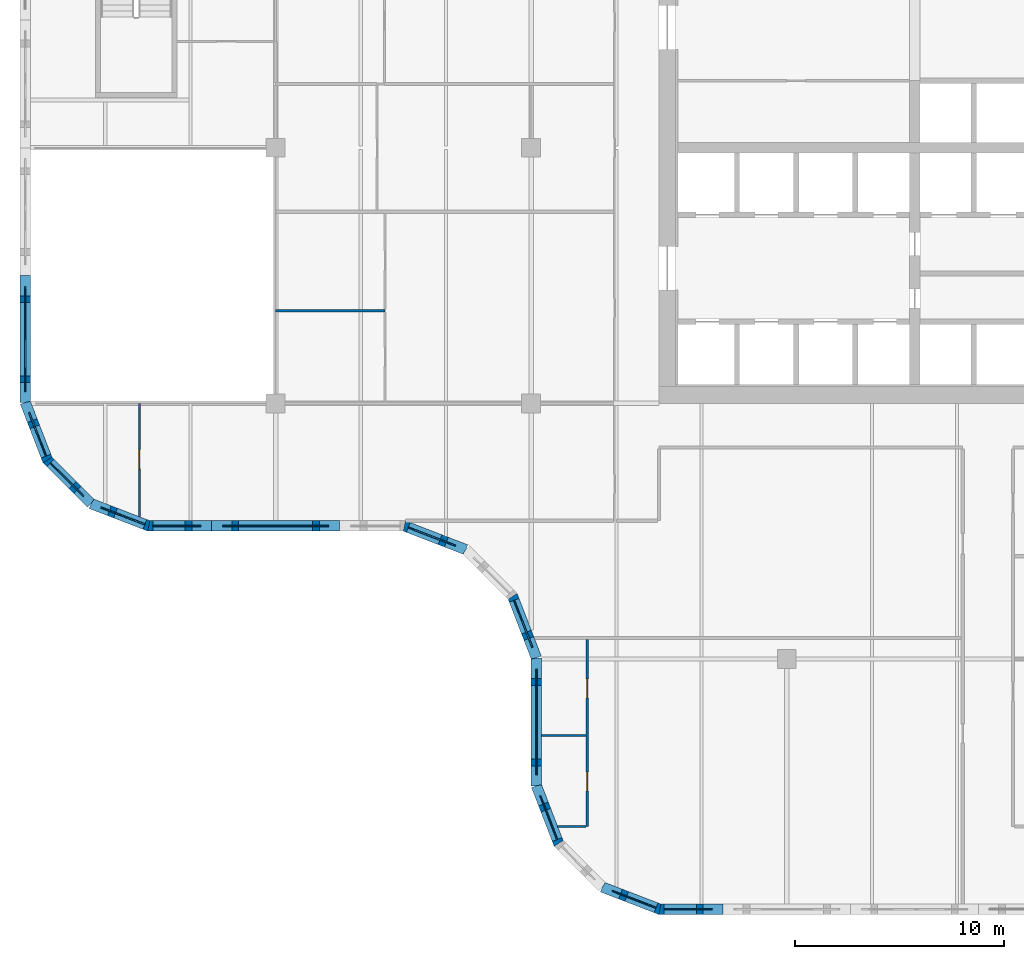
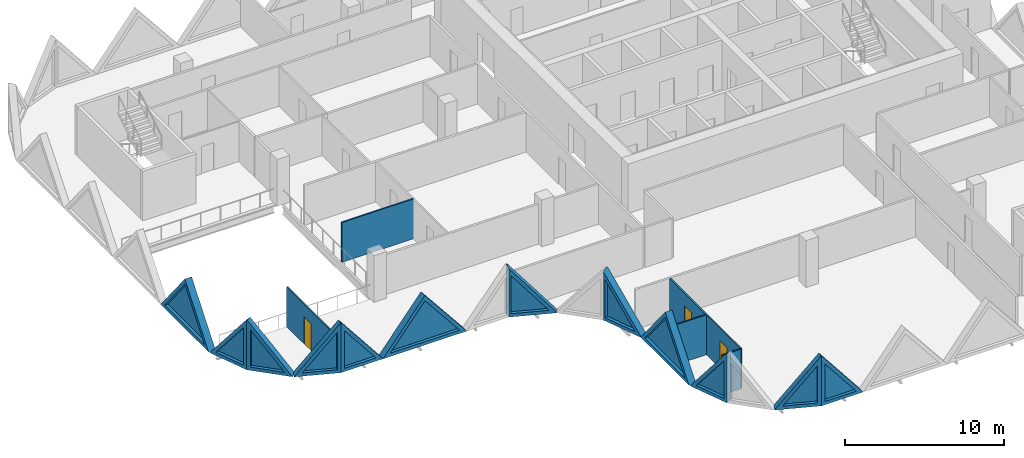
# One storey, part 4 of 19: 17 walls, 12 plates, 3 doors, 15 openings.
"""IFC4 building model written with IfcOpenShell, lengths in metres."""

from ifc_helpers import new_model, si_unit, direction, frame, frame_2d, origin, place, context, subcontext, project, spatial, polyline, rectangle, outline, extrude, faceted_brep, source, transform, mapped, material, layer, layer_set, type_object, element, fill, save


model = new_model("IFC4")

# Units and contexts
model_context = context("Model", 3, precision=1e-05, world=origin(), true_north=direction((0.0, 1.0)))
body_context = subcontext(model_context, "Body", "Model", "MODEL_VIEW")
ifc_project = project(units=[si_unit("LENGTHUNIT", "METRE"), si_unit("AREAUNIT", "SQUARE_METRE"), si_unit("VOLUMEUNIT", "CUBIC_METRE"), si_unit("PLANEANGLEUNIT", "RADIAN"), si_unit("MASSUNIT", "GRAM", prefix="KILO")], contexts=[model_context])

# Site, building, storey
site_placement = place(None, origin())
site = spatial("IfcSite", under=ifc_project, at=site_placement, CompositionType="ELEMENT")
building_placement = place(site_placement, origin())
building = spatial("IfcBuilding", under=site, at=building_placement, Name="Tessera Gate Towers", CompositionType="ELEMENT")
storey_placement = place(building_placement, frame((0.0, 0.0, 68.60009765625)))
storey = spatial("IfcBuildingStorey", under=building, at=storey_placement, Name="L16", CompositionType="ELEMENT", Elevation=68.60009765625)

# Wall, opening, door
ifc_material_1 = material(Name="Glass", Category="glass")
ifc_layer_1 = layer(ifc_material_1, 0.10009765625)
ifc_layer_set_1 = layer_set([ifc_layer_1], Name="GLAZED PARTITION 100")
wall_type_1 = type_object("IfcWallType", Name="GLAZED PARTITION 100", PredefinedType="PARTITIONING", material=ifc_layer_set_1)
wall_1_placement = place(storey_placement, frame((5.699951171875, 18.990234375, 0.0), z_axis=(0.0, 0.0, 1.0), x_axis=(0.0, 1.0, 0.0)))
wall_1 = element("IfcWall", 1, at=wall_1_placement, inside=storey, type_object=wall_type_1, Name="T1-L16-PW-021", PredefinedType="PARTITIONING", context=body_context, shape_type="SweptSolid", body=[
    extrude(rectangle(XDim=5.40966796875, YDim=0.10009765625, at=frame_2d((2.704833984375, 0.0))), origin(), (0.0, 0.0, 1.0), 3.06689453125),
])
shared_shape_1 = source(origin(), body_context, "Body", "SweptSolid", [
    extrude(rectangle(XDim=0.89990234375, YDim=2.10009765625, at=frame_2d((0.449951171875, 1.050048828125))), frame((0.0, 0.06005859375, 0.0), z_axis=(0.0, -1.0, 0.0), x_axis=(1.0, 0.0, 0.0)), (0.0, 0.0, 1.0), 0.1201171875),
])
opening_1_placement = place(wall_1_placement, frame((2.300048828125, 0.0, 0.0)))
opening_1 = element("IfcOpeningElement", 2, at=opening_1_placement, cuts=wall_1, Name="Opening D690-A06-05", PredefinedType="OPENING", context=body_context, shape_type="MappedRepresentation", body=[
    mapped(shared_shape_1, transform((0.0, 0.0, 0.0), scale=1.0)),
])
ifc_material_2 = material(Name="Glass in aluminium frame", Category="aluminium")
door_type_1 = type_object("IfcDoorType", Name="GLAZED DOOR 900 NOT RATED", OperationType="NOTDEFINED", PredefinedType="DOOR", material=ifc_material_2)
shared_shape_2 = source(origin(), body_context, "Body", "SweptSolid", [
    extrude(rectangle(XDim=0.89990234375, YDim=2.10009765625, at=frame_2d((0.449951171875, 1.050048828125))), frame((0.0, 0.02490234375, 0.0), z_axis=(0.0, -1.0, 0.0), x_axis=(1.0, 0.0, 0.0)), (0.0, 0.0, 1.0), 0.050048828125),
])
door_1_placement = place(opening_1_placement, origin())
door_1 = element("IfcDoor", 3, at=door_1_placement, inside=storey, type_object=door_type_1, Name="T1-L16-PD-013", OperationType="SINGLE_SWING_LEFT", OverallHeight=2.10009765625, OverallWidth=0.89990234375, PredefinedType="DOOR", context=body_context, shape_type="MappedRepresentation", body=[
    mapped(shared_shape_2, transform((0.0, 0.0, 0.0), scale=1.0)),
])
fill(opening_1, door_1)

# Wall
ifc_material_3 = material(Name="Gypsum board on steel studs", Category="steel")
ifc_layer_2 = layer(ifc_material_3, 0.10009765625)
ifc_layer_set_2 = layer_set([ifc_layer_2], Name="PARTITION 100")
wall_type_2 = type_object("IfcWallType", Name="PARTITION 100", PredefinedType="PARTITIONING", material=ifc_layer_set_2)
wall_2_placement = place(storey_placement, frame((25.668701171875, 4.199951171875, 0.0), z_axis=(0.0, 0.0, 1.0), x_axis=(1.0, 0.0, 0.0)))
element("IfcWall", 4, at=wall_2_placement, inside=storey, type_object=wall_type_2, Name="T1-L16-PW-003", PredefinedType="PARTITIONING", context=body_context, shape_type="SweptSolid", body=[
    extrude(rectangle(XDim=1.355224609375, YDim=0.10009765625, at=frame_2d((0.677734375, 0.0))), origin(), (0.0, 0.0, 1.0), 3.06689453125),
])

# Wall, openings, doors
wall_3_placement = place(storey_placement, frame((27.074951171875, 4.199951171875, 0.0), z_axis=(0.0, 0.0, 1.0), x_axis=(0.0, 1.0, 0.0)))
wall_3 = element("IfcWall", 5, at=wall_3_placement, inside=storey, type_object=wall_type_2, Name="T1-L16-PW-004", PredefinedType="PARTITIONING", context=body_context, shape_type="SweptSolid", body=[
    extrude(rectangle(XDim=8.924072265625, YDim=0.10009765625, at=frame_2d((4.4619140625, 0.0))), origin(), (0.0, 0.0, 1.0), 3.06689453125),
])
opening_2_placement = place(wall_3_placement, frame((6.147705078125, 0.0, 0.0)))
opening_2 = element("IfcOpeningElement", 6, at=opening_2_placement, cuts=wall_3, Name="Opening D190-A06-04", PredefinedType="OPENING", context=body_context, shape_type="MappedRepresentation", body=[
    mapped(shared_shape_1, transform((0.0, 0.0, 0.0), scale=1.0)),
])
opening_3_placement = place(wall_3_placement, frame((1.699951171875, 0.0, 0.0)))
opening_3 = element("IfcOpeningElement", 7, at=opening_3_placement, cuts=wall_3, Name="Opening D190-A06-06", PredefinedType="OPENING", context=body_context, shape_type="MappedRepresentation", body=[
    mapped(shared_shape_1, transform((0.0, 0.0, 0.0), scale=1.0)),
])
ifc_material_4 = material(Name="Timber door leaf in steel frame", Category="steel")
door_type_2 = type_object("IfcDoorType", Name="INTERNAL DOOR 900 NOT RATED", OperationType="NOTDEFINED", PredefinedType="DOOR", material=ifc_material_4)
door_2_placement = place(opening_2_placement, origin())
door_2 = element("IfcDoor", 8, at=door_2_placement, inside=storey, type_object=door_type_2, Name="T1-L16-PD-007", OperationType="SINGLE_SWING_LEFT", OverallHeight=2.10009765625, OverallWidth=0.89990234375, PredefinedType="DOOR", context=body_context, shape_type="MappedRepresentation", body=[
    mapped(shared_shape_2, transform((0.0, 0.0, 0.0), scale=1.0)),
])
fill(opening_2, door_2)
door_3_placement = place(opening_3_placement, origin())
door_3 = element("IfcDoor", 9, at=door_3_placement, inside=storey, type_object=door_type_2, Name="T1-L16-PD-014", OperationType="SINGLE_SWING_LEFT", OverallHeight=2.10009765625, OverallWidth=0.89990234375, PredefinedType="DOOR", context=body_context, shape_type="MappedRepresentation", body=[
    mapped(shared_shape_2, transform((0.0, 0.0, 0.0), scale=1.0)),
])
fill(opening_3, door_3)

# Walls
wall_4_placement = place(storey_placement, frame((24.89990234375, 8.548095703125, 0.0), z_axis=(0.0, 0.0, 1.0), x_axis=(1.0, 0.0, 0.0)))
element("IfcWall", 10, at=wall_4_placement, inside=storey, type_object=wall_type_2, Name="T1-L16-PW-008", PredefinedType="PARTITIONING", context=body_context, shape_type="SweptSolid", body=[
    extrude(rectangle(XDim=2.1240234375, YDim=0.10009765625, at=frame_2d((1.06201171875, 0.0))), origin(), (0.0, 0.0, 1.0), 3.06689453125),
])
wall_5_placement = place(storey_placement, frame((12.199951171875, 28.820068359375, 0.0), z_axis=(0.0, 0.0, 1.0), x_axis=(1.0, 0.0, 0.0)))
element("IfcWall", 11, at=wall_5_placement, inside=storey, type_object=wall_type_2, Name="T1-L16-PW-029", PredefinedType="PARTITIONING", context=body_context, shape_type="SweptSolid", body=[
    extrude(rectangle(XDim=5.22509765625, YDim=0.10009765625, at=frame_2d((2.612548828125, 0.0))), origin(), (0.0, 0.0, 1.0), 3.06689453125),
])

# Wall, opening, plate
ifc_material_5 = material(Name="Precast concrete C60/75 white", Category="concrete")
ifc_layer_3 = layer(ifc_material_5, 0.5)
ifc_layer_set_3 = layer_set([ifc_layer_3], Name="TS3 corner tessera")
wall_type_3 = type_object("IfcWallType", Name="TS3 corner tessera", PredefinedType="SOLIDWALL", material=ifc_layer_set_3)
shared_shape_3 = source(origin(), body_context, "Body", "Brep", [
    faceted_brep([(3.050048828125, -0.25, 0.0), (0.046630859375, -0.25, 3.7998046875), (0.0, -0.25, 3.73974609375), (0.0, -0.25, 0.0), (0.09326171875, 0.25, 3.740966796875), (3.050048828125, 0.25, 0.0), (0.09326171875, 0.25, 0.0), (0.046630859375, 0.0, 3.7998046875)], [[[0, 1, 2, 3]], [[4, 5, 6]], [[5, 4, 7, 1, 0]], [[2, 1, 7]], [[6, 5, 0, 3]], [[6, 3, 2, 7, 4]]]),
])
wall_6_placement = place(storey_placement, frame((30.5, 0.25, 0.0), z_axis=(0.0, 0.0, 1.0), x_axis=(1.0, 0.0, 0.0)))
wall_6 = element("IfcWall", 12, at=wall_6_placement, inside=storey, type_object=wall_type_3, Name="Precast corner tessera T1 TS3-0337", PredefinedType="SOLIDWALL", context=body_context, shape_type="MappedRepresentation", body=[
    mapped(shared_shape_3, transform((0.0, 0.0, 0.0), scale=1.0)),
])
shared_shape_4 = source(origin(), body_context, "Body", "SweptSolid", [
    extrude(outline(polyline([(2.533935546875, 0.25), (0.24658203125, 3.143798828125), (0.24658203125, 0.25), (2.533935546875, 0.25)])), frame((0.0, 0.260009765625, 0.0), z_axis=(0.0, -1.0, 0.0), x_axis=(1.0, 0.0, 0.0)), (0.0, 0.0, 1.0), 0.52001953125),
])
opening_4_placement = place(wall_6_placement, origin())
opening_4 = element("IfcOpeningElement", 13, at=opening_4_placement, cuts=wall_6, Name="Opening T1-PL1-0188", PredefinedType="OPENING", context=body_context, shape_type="MappedRepresentation", body=[
    mapped(shared_shape_4, transform((0.0, 0.0, 0.0), scale=1.0)),
])
ifc_material_6 = material(Name="Low-e laminated glass", Category="glass")
ifc_layer_4 = layer(ifc_material_6, 0.06005859375)
ifc_layer_set_4 = layer_set([ifc_layer_4], Name="PL1 triangular pane")
plate_type = type_object("IfcPlateType", Name="PL1 triangular pane", PredefinedType="SHEET", material=ifc_layer_set_4)
shared_shape_5 = source(origin(), body_context, "Body", "SweptSolid", [
    extrude(outline(polyline([(2.533935546875, 0.25), (0.24658203125, 3.143798828125), (0.24658203125, 0.25), (2.533935546875, 0.25)])), frame((0.0, 0.030029296875, 0.0), z_axis=(0.0, -1.0, 0.0), x_axis=(1.0, 0.0, 0.0)), (0.0, 0.0, 1.0), 0.06005859375),
])
plate_1_placement = place(opening_4_placement, origin())
plate_1 = element("IfcPlate", 14, at=plate_1_placement, inside=storey, type_object=plate_type, Name="Glass pane T1 PL1-0188", PredefinedType="SHEET", context=body_context, shape_type="MappedRepresentation", body=[
    mapped(shared_shape_5, transform((0.0, 0.0, 0.0), scale=1.0)),
])
fill(opening_4, plate_1)

wall_7_placement = place(storey_placement, frame((6.099853515625, 18.550048828125, 0.0), z_axis=(0.0, 0.0, 1.0), x_axis=(1.0, 0.0, 0.0)))
wall_7 = element("IfcWall", 15, at=wall_7_placement, inside=storey, type_object=wall_type_3, Name="Precast corner tessera T1 TS3-0354", PredefinedType="SOLIDWALL", context=body_context, shape_type="MappedRepresentation", body=[
    mapped(shared_shape_3, transform((0.0, 0.0, 0.0), scale=1.0)),
])
opening_5_placement = place(wall_7_placement, origin())
opening_5 = element("IfcOpeningElement", 16, at=opening_5_placement, cuts=wall_7, Name="Opening T1-PL1-0226", PredefinedType="OPENING", context=body_context, shape_type="MappedRepresentation", body=[
    mapped(shared_shape_4, transform((0.0, 0.0, 0.0), scale=1.0)),
])
plate_2_placement = place(opening_5_placement, origin())
plate_2 = element("IfcPlate", 17, at=plate_2_placement, inside=storey, type_object=plate_type, Name="Glass pane T1 PL1-0226", PredefinedType="SHEET", context=body_context, shape_type="MappedRepresentation", body=[
    mapped(shared_shape_5, transform((0.0, 0.0, 0.0), scale=1.0)),
])
fill(opening_5, plate_2)

shared_shape_6 = source(origin(), body_context, "Body", "Brep", [
    faceted_brep([(2.9970703125, -0.25, 3.74072265625), (2.950439453125, -0.25, 3.7998046875), (0.0, -0.25, 0.0), (2.9970703125, -0.25, 0.0), (0.052978515625, 0.25, 0.068115234375), (2.904052734375, 0.25, 3.739990234375), (2.904052734375, 0.25, 0.0), (0.052978515625, 0.25, 0.0), (2.950439453125, 0.00048828125, 3.7998046875), (0.0, 0.0, 0.0)], [[[0, 1, 2, 3]], [[4, 5, 6, 7]], [[8, 1, 0]], [[5, 4, 9, 2, 1, 8]], [[7, 6, 3, 2, 9]], [[7, 9, 4]], [[3, 6, 5, 8, 0]]]),
])
wall_8_placement = place(storey_placement, frame((27.793701171875, 1.31201171875, 0.0), z_axis=(0.0, 0.0, 1.0), x_axis=(0.932973525033, -0.359944998003, 0.0)))
wall_8 = element("IfcWall", 18, at=wall_8_placement, inside=storey, type_object=wall_type_3, Name="Precast corner tessera T1 TS3-0338", PredefinedType="SOLIDWALL", context=body_context, shape_type="MappedRepresentation", body=[
    mapped(shared_shape_6, transform((0.0, 0.0, 0.0), scale=1.0)),
])
shared_shape_7 = source(origin(), body_context, "Body", "SweptSolid", [
    extrude(outline(polyline([(2.75048828125, 3.134765625), (0.5107421875, 0.25), (2.75048828125, 0.25), (2.75048828125, 3.134765625)])), frame((0.0, 0.260009765625, 0.0), z_axis=(0.0, -1.0, 0.0), x_axis=(1.0, 0.0, 0.0)), (0.0, 0.0, 1.0), 0.52001953125),
])
opening_6_placement = place(wall_8_placement, origin())
opening_6 = element("IfcOpeningElement", 19, at=opening_6_placement, cuts=wall_8, Name="Opening T1-PL1-0189", PredefinedType="OPENING", context=body_context, shape_type="MappedRepresentation", body=[
    mapped(shared_shape_7, transform((0.0, 0.0, 0.0), scale=1.0)),
])
shared_shape_8 = source(origin(), body_context, "Body", "SweptSolid", [
    extrude(outline(polyline([(2.75048828125, 3.134765625), (0.5107421875, 0.25), (2.75048828125, 0.25), (2.75048828125, 3.134765625)])), frame((0.0, 0.030029296875, 0.0), z_axis=(0.0, -1.0, 0.0), x_axis=(1.0, 0.0, 0.0)), (0.0, 0.0, 1.0), 0.06005859375),
])
plate_3_placement = place(opening_6_placement, origin())
plate_3 = element("IfcPlate", 20, at=plate_3_placement, inside=storey, type_object=plate_type, Name="Glass pane T1 PL1-0189", PredefinedType="SHEET", context=body_context, shape_type="MappedRepresentation", body=[
    mapped(shared_shape_8, transform((0.0, 0.0, 0.0), scale=1.0)),
])
fill(opening_6, plate_3)

ifc_material_7 = material(Name="Precast concrete C60/75 white", Category="concrete")
ifc_layer_5 = layer(ifc_material_7, 0.5)
ifc_layer_set_5 = layer_set([ifc_layer_5], Name="TS2 half tessera")
wall_type_4 = type_object("IfcWallType", Name="TS2 half tessera", PredefinedType="SOLIDWALL", material=ifc_layer_set_5)
shared_shape_9 = source(origin(), body_context, "Body", "SweptSolid", [
    extrude(outline(polyline([(6.10009765625, 0.0), (3.050048828125, 3.7998046875), (0.0, 0.0), (6.10009765625, 0.0)])), frame((0.0, 0.25, 0.0), z_axis=(0.0, -1.0, 0.0), x_axis=(1.0, 0.0, 0.0)), (0.0, 0.0, 1.0), 0.5),
])
wall_9_placement = place(storey_placement, frame((9.14990234375, 18.550048828125, 0.0), z_axis=(0.0, 0.0, 1.0), x_axis=(1.0, 0.0, 0.0)))
wall_9 = element("IfcWall", 21, at=wall_9_placement, inside=storey, type_object=wall_type_4, Name="Precast half tessera T1 TS2-0113", PredefinedType="SOLIDWALL", context=body_context, shape_type="MappedRepresentation", body=[
    mapped(shared_shape_9, transform((0.0, 0.0, 0.0), scale=1.0)),
])
shared_shape_10 = source(origin(), body_context, "Body", "SweptSolid", [
    extrude(outline(polyline([(5.578857421875, 0.25), (3.050048828125, 3.400390625), (0.521240234375, 0.25), (5.578857421875, 0.25)])), frame((0.0, 0.260009765625, 0.0), z_axis=(0.0, -1.0, 0.0), x_axis=(1.0, 0.0, 0.0)), (0.0, 0.0, 1.0), 0.52001953125),
])
opening_7_placement = place(wall_9_placement, origin())
opening_7 = element("IfcOpeningElement", 22, at=opening_7_placement, cuts=wall_9, Name="Opening T1-PL1-0227", PredefinedType="OPENING", context=body_context, shape_type="MappedRepresentation", body=[
    mapped(shared_shape_10, transform((0.0, 0.0, 0.0), scale=1.0)),
])
shared_shape_11 = source(origin(), body_context, "Body", "SweptSolid", [
    extrude(outline(polyline([(5.578857421875, 0.25), (3.050048828125, 3.400390625), (0.521240234375, 0.25), (5.578857421875, 0.25)])), frame((0.0, 0.030029296875, 0.0), z_axis=(0.0, -1.0, 0.0), x_axis=(1.0, 0.0, 0.0)), (0.0, 0.0, 1.0), 0.06005859375),
])
plate_4_placement = place(opening_7_placement, origin())
plate_4 = element("IfcPlate", 23, at=plate_4_placement, inside=storey, type_object=plate_type, Name="Glass pane T1 PL1-0227", PredefinedType="SHEET", context=body_context, shape_type="MappedRepresentation", body=[
    mapped(shared_shape_11, transform((0.0, 0.0, 0.0), scale=1.0)),
])
fill(opening_7, plate_4)

shared_shape_12 = source(origin(), body_context, "Body", "Brep", [
    faceted_brep([(6.053466796875, -0.25, 0.0), (3.050048828125, -0.25, 3.7998046875), (0.0, -0.25, 0.0), (0.0, 0.25, 0.0), (3.050048828125, 0.25, 3.7998046875), (6.0068359375, 0.25, 0.058837890625), (6.0068359375, 0.25, 0.0), (6.053466796875, 0.0, 0.0)], [[[0, 1, 2]], [[3, 4, 5, 6]], [[5, 4, 1, 0, 7]], [[4, 3, 2, 1]], [[3, 6, 7, 0, 2]], [[7, 6, 5]]]),
])
wall_10_placement = place(storey_placement, frame((0.25, 30.5, 0.0), z_axis=(0.0, 0.0, 1.0), x_axis=(0.0, -1.0, 0.0)))
wall_10 = element("IfcWall", 24, at=wall_10_placement, inside=storey, type_object=wall_type_4, Name="Precast half tessera T1 TS2-0112", PredefinedType="SOLIDWALL", context=body_context, shape_type="MappedRepresentation", body=[
    mapped(shared_shape_12, transform((0.0, 0.0, 0.0), scale=1.0)),
])
shared_shape_13 = source(origin(), body_context, "Body", "SweptSolid", [
    extrude(outline(polyline([(5.537109375, 0.25), (3.048583984375, 3.398681640625), (0.521240234375, 0.25), (5.537109375, 0.25)])), frame((0.0, 0.260009765625, 0.0), z_axis=(0.0, -1.0, 0.0), x_axis=(1.0, 0.0, 0.0)), (0.0, 0.0, 1.0), 0.52001953125),
])
opening_8_placement = place(wall_10_placement, origin())
opening_8 = element("IfcOpeningElement", 25, at=opening_8_placement, cuts=wall_10, Name="Opening T1-PL1-0222", PredefinedType="OPENING", context=body_context, shape_type="MappedRepresentation", body=[
    mapped(shared_shape_13, transform((0.0, 0.0, 0.0), scale=1.0)),
])
shared_shape_14 = source(origin(), body_context, "Body", "SweptSolid", [
    extrude(outline(polyline([(5.537109375, 0.25), (3.048583984375, 3.398681640625), (0.521240234375, 0.25), (5.537109375, 0.25)])), frame((0.0, 0.030029296875, 0.0), z_axis=(0.0, -1.0, 0.0), x_axis=(1.0, 0.0, 0.0)), (0.0, 0.0, 1.0), 0.06005859375),
])
plate_5_placement = place(opening_8_placement, origin())
plate_5 = element("IfcPlate", 26, at=plate_5_placement, inside=storey, type_object=plate_type, Name="Glass pane T1 PL1-0222", PredefinedType="SHEET", context=body_context, shape_type="MappedRepresentation", body=[
    mapped(shared_shape_14, transform((0.0, 0.0, 0.0), scale=1.0)),
])
fill(opening_8, plate_5)

shared_shape_15 = source(origin(), body_context, "Body", "Brep", [
    faceted_brep([(3.00341796875, -0.25, 3.7314453125), (2.950439453125, -0.25, 3.7998046875), (0.0, -0.25, 0.0), (3.00341796875, -0.25, 0.0), (0.046630859375, 0.25, 0.06005859375), (2.897705078125, 0.25, 3.731689453125), (2.897705078125, 0.25, 0.0), (0.046630859375, 0.25, 0.0), (2.950439453125, 0.00048828125, 3.7998046875), (0.0, 0.0, 0.0)], [[[0, 1, 2, 3]], [[4, 5, 6, 7]], [[8, 1, 0]], [[5, 4, 9, 2, 1, 8]], [[7, 6, 3, 2, 9]], [[7, 9, 4]], [[3, 6, 5, 8, 0]]]),
])
wall_11_placement = place(storey_placement, frame((0.25, 24.446533203125, 0.0), z_axis=(0.0, 0.0, 1.0), x_axis=(0.35992665181, -0.932980602862, 0.0)))
wall_11 = element("IfcWall", 27, at=wall_11_placement, inside=storey, type_object=wall_type_3, Name="Precast corner tessera T1 TS3-0351", PredefinedType="SOLIDWALL", context=body_context, shape_type="MappedRepresentation", body=[
    mapped(shared_shape_15, transform((0.0, 0.0, 0.0), scale=1.0)),
])
opening_9_placement = place(wall_11_placement, origin())
opening_9 = element("IfcOpeningElement", 28, at=opening_9_placement, cuts=wall_11, Name="Opening T1-PL1-0223", PredefinedType="OPENING", context=body_context, shape_type="MappedRepresentation", body=[
    mapped(shared_shape_7, transform((0.0, 0.0, 0.0), scale=1.0)),
])
plate_6_placement = place(opening_9_placement, origin())
plate_6 = element("IfcPlate", 29, at=plate_6_placement, inside=storey, type_object=plate_type, Name="Glass pane T1 PL1-0223", PredefinedType="SHEET", context=body_context, shape_type="MappedRepresentation", body=[
    mapped(shared_shape_8, transform((0.0, 0.0, 0.0), scale=1.0)),
])
fill(opening_9, plate_6)

shared_shape_16 = source(origin(), body_context, "Body", "Brep", [
    faceted_brep([(2.9970703125, -0.25, 3.74072265625), (2.950439453125, -0.25, 3.7998046875), (0.0, -0.25, 0.0), (2.9970703125, -0.25, 0.0), (0.052978515625, 0.25, 0.068115234375), (2.904052734375, 0.25, 3.739990234375), (2.904052734375, 0.25, 0.0), (0.052978515625, 0.25, 0.0), (2.950439453125, 0.00048828125, 3.7998046875), (0.0, 0.0, 0.0)], [[[0, 1, 2, 3]], [[4, 5, 6, 7]], [[8, 1, 0]], [[5, 4, 9, 2, 1, 8]], [[7, 6, 3, 2, 9]], [[7, 9, 4]], [[3, 6, 5, 8, 0]]]),
])
wall_12_placement = place(storey_placement, frame((3.393798828125, 19.61181640625, 0.0), z_axis=(0.0, 0.0, 1.0), x_axis=(0.932990326376, -0.359901446078, 0.0)))
wall_12 = element("IfcWall", 30, at=wall_12_placement, inside=storey, type_object=wall_type_3, Name="Precast corner tessera T1 TS3-0353", PredefinedType="SOLIDWALL", context=body_context, shape_type="MappedRepresentation", body=[
    mapped(shared_shape_16, transform((0.0, 0.0, 0.0), scale=1.0)),
])
opening_10_placement = place(wall_12_placement, origin())
opening_10 = element("IfcOpeningElement", 31, at=opening_10_placement, cuts=wall_12, Name="Opening T1-PL1-0225", PredefinedType="OPENING", context=body_context, shape_type="MappedRepresentation", body=[
    mapped(shared_shape_7, transform((0.0, 0.0, 0.0), scale=1.0)),
])
plate_7_placement = place(opening_10_placement, origin())
plate_7 = element("IfcPlate", 32, at=plate_7_placement, inside=storey, type_object=plate_type, Name="Glass pane T1 PL1-0225", PredefinedType="SHEET", context=body_context, shape_type="MappedRepresentation", body=[
    mapped(shared_shape_8, transform((0.0, 0.0, 0.0), scale=1.0)),
])
fill(opening_10, plate_7)

shared_shape_17 = source(origin(), body_context, "Body", "Brep", [
    faceted_brep([(2.9970703125, -0.25, 0.0), (0.052978515625, -0.25, 3.7998046875), (0.0, -0.25, 3.731689453125), (0.0, -0.25, 0.0), (0.10595703125, 0.25, 3.7314453125), (2.944091796875, 0.25, 0.068115234375), (2.944091796875, 0.25, 0.0), (0.10595703125, 0.25, 0.0), (0.052978515625, 0.0, 3.7998046875), (2.9970703125, 0.000244140625, 0.0)], [[[0, 1, 2, 3]], [[4, 5, 6, 7]], [[5, 4, 8, 1, 0, 9]], [[2, 1, 8]], [[7, 6, 9, 0, 3]], [[7, 3, 2, 8, 4]], [[9, 6, 5]]]),
])
wall_13_placement = place(storey_placement, frame((1.2744140625, 21.731201171875, 0.0), z_axis=(0.0, 0.0, 1.0), x_axis=(0.707147509625, -0.707066050402, 0.0)))
wall_13 = element("IfcWall", 33, at=wall_13_placement, inside=storey, type_object=wall_type_3, Name="Precast corner tessera T1 TS3-0352", PredefinedType="SOLIDWALL", context=body_context, shape_type="MappedRepresentation", body=[
    mapped(shared_shape_17, transform((0.0, 0.0, 0.0), scale=1.0)),
])
shared_shape_18 = source(origin(), body_context, "Body", "SweptSolid", [
    extrude(outline(polyline([(2.487060546875, 0.25), (0.2529296875, 3.133544921875), (0.2529296875, 0.25), (2.487060546875, 0.25)])), frame((0.0, 0.260009765625, 0.0), z_axis=(0.0, -1.0, 0.0), x_axis=(1.0, 0.0, 0.0)), (0.0, 0.0, 1.0), 0.52001953125),
])
opening_11_placement = place(wall_13_placement, origin())
opening_11 = element("IfcOpeningElement", 34, at=opening_11_placement, cuts=wall_13, Name="Opening T1-PL1-0224", PredefinedType="OPENING", context=body_context, shape_type="MappedRepresentation", body=[
    mapped(shared_shape_18, transform((0.0, 0.0, 0.0), scale=1.0)),
])
shared_shape_19 = source(origin(), body_context, "Body", "SweptSolid", [
    extrude(outline(polyline([(2.487060546875, 0.25), (0.2529296875, 3.133544921875), (0.2529296875, 0.25), (2.487060546875, 0.25)])), frame((0.0, 0.030029296875, 0.0), z_axis=(0.0, -1.0, 0.0), x_axis=(1.0, 0.0, 0.0)), (0.0, 0.0, 1.0), 0.06005859375),
])
plate_8_placement = place(opening_11_placement, origin())
plate_8 = element("IfcPlate", 35, at=plate_8_placement, inside=storey, type_object=plate_type, Name="Glass pane T1 PL1-0224", PredefinedType="SHEET", context=body_context, shape_type="MappedRepresentation", body=[
    mapped(shared_shape_19, transform((0.0, 0.0, 0.0), scale=1.0)),
])
fill(opening_11, plate_8)

shared_shape_20 = source(origin(), body_context, "Body", "Brep", [
    faceted_brep([(3.14306640625, -0.25, 0.063720703125), (0.09326171875, -0.25, 3.74365234375), (0.09326171875, -0.25, 0.0), (3.14306640625, -0.25, 0.0), (0.0, 0.25, 3.74267578125), (0.046630859375, 0.25, 3.7998046875), (3.196044921875, 0.25, 0.0), (0.0, 0.25, 0.0), (0.046630859375, 0.0, 3.7998046875), (3.196044921875, -0.000244140625, 0.0)], [[[0, 1, 2, 3]], [[4, 5, 6, 7]], [[6, 5, 8, 1, 0, 9]], [[5, 4, 8]], [[7, 6, 9, 3, 2]], [[7, 2, 1, 8, 4]], [[3, 9, 0]]]),
])
wall_14_placement = place(storey_placement, frame((18.302978515625, 18.56689453125, 0.0), z_axis=(0.0, 0.0, 1.0), x_axis=(0.932978940178, -0.359930961693, 0.0)))
wall_14 = element("IfcWall", 36, at=wall_14_placement, inside=storey, type_object=wall_type_3, Name="Precast corner tessera T1 TS3-0356", PredefinedType="SOLIDWALL", context=body_context, shape_type="MappedRepresentation", body=[
    mapped(shared_shape_20, transform((0.0, 0.0, 0.0), scale=1.0)),
])
shared_shape_21 = source(origin(), body_context, "Body", "SweptSolid", [
    extrude(outline(polyline([(2.664306640625, 0.25), (0.24658203125, 3.166748046875), (0.24658203125, 0.25), (2.664306640625, 0.25)])), frame((0.0, 0.260009765625, 0.0), z_axis=(0.0, -1.0, 0.0), x_axis=(1.0, 0.0, 0.0)), (0.0, 0.0, 1.0), 0.52001953125),
])
opening_12_placement = place(wall_14_placement, origin())
opening_12 = element("IfcOpeningElement", 37, at=opening_12_placement, cuts=wall_14, Name="Opening T1-PL1-0229", PredefinedType="OPENING", context=body_context, shape_type="MappedRepresentation", body=[
    mapped(shared_shape_21, transform((0.0, 0.0, 0.0), scale=1.0)),
])
shared_shape_22 = source(origin(), body_context, "Body", "SweptSolid", [
    extrude(outline(polyline([(2.664306640625, 0.25), (0.24658203125, 3.166748046875), (0.24658203125, 0.25), (2.664306640625, 0.25)])), frame((0.0, 0.030029296875, 0.0), z_axis=(0.0, -1.0, 0.0), x_axis=(1.0, 0.0, 0.0)), (0.0, 0.0, 1.0), 0.06005859375),
])
plate_9_placement = place(opening_12_placement, origin())
plate_9 = element("IfcPlate", 38, at=plate_9_placement, inside=storey, type_object=plate_type, Name="Glass pane T1 PL1-0229", PredefinedType="SHEET", context=body_context, shape_type="MappedRepresentation", body=[
    mapped(shared_shape_22, transform((0.0, 0.0, 0.0), scale=1.0)),
])
fill(opening_12, plate_9)

shared_shape_23 = source(origin(), body_context, "Body", "Brep", [
    faceted_brep([(3.156005859375, -0.25, 0.05615234375), (0.10595703125, -0.25, 3.73583984375), (0.10595703125, -0.25, 0.0), (3.156005859375, -0.25, 0.0), (0.0, 0.25, 3.736083984375), (0.052978515625, 0.25, 3.7998046875), (3.202392578125, 0.25, 0.0), (0.0, 0.25, 0.0), (0.052978515625, 0.0, 3.7998046875), (3.202392578125, -0.000244140625, 0.0)], [[[0, 1, 2, 3]], [[4, 5, 6, 7]], [[6, 5, 8, 1, 0, 9]], [[5, 4, 8]], [[7, 6, 9, 3, 2]], [[7, 2, 1, 8, 4]], [[3, 9, 0]]]),
])
wall_15_placement = place(storey_placement, frame((23.497314453125, 15.234375, 0.0), z_axis=(0.0, 0.0, 1.0), x_axis=(0.359913782069, -0.932985567668, 0.0)))
wall_15 = element("IfcWall", 39, at=wall_15_placement, inside=storey, type_object=wall_type_3, Name="Precast corner tessera T1 TS3-0358", PredefinedType="SOLIDWALL", context=body_context, shape_type="MappedRepresentation", body=[
    mapped(shared_shape_23, transform((0.0, 0.0, 0.0), scale=1.0)),
])
shared_shape_24 = source(origin(), body_context, "Body", "SweptSolid", [
    extrude(outline(polyline([(2.670654296875, 0.25), (0.2529296875, 3.166748046875), (0.2529296875, 0.25), (2.670654296875, 0.25)])), frame((0.0, 0.260009765625, 0.0), z_axis=(0.0, -1.0, 0.0), x_axis=(1.0, 0.0, 0.0)), (0.0, 0.0, 1.0), 0.52001953125),
])
opening_13_placement = place(wall_15_placement, origin())
opening_13 = element("IfcOpeningElement", 40, at=opening_13_placement, cuts=wall_15, Name="Opening T1-PL1-0231", PredefinedType="OPENING", context=body_context, shape_type="MappedRepresentation", body=[
    mapped(shared_shape_24, transform((0.0, 0.0, 0.0), scale=1.0)),
])
shared_shape_25 = source(origin(), body_context, "Body", "SweptSolid", [
    extrude(outline(polyline([(2.670654296875, 0.25), (0.2529296875, 3.166748046875), (0.2529296875, 0.25), (2.670654296875, 0.25)])), frame((0.0, 0.030029296875, 0.0), z_axis=(0.0, -1.0, 0.0), x_axis=(1.0, 0.0, 0.0)), (0.0, 0.0, 1.0), 0.06005859375),
])
plate_10_placement = place(opening_13_placement, origin())
plate_10 = element("IfcPlate", 41, at=plate_10_placement, inside=storey, type_object=plate_type, Name="Glass pane T1 PL1-0231", PredefinedType="SHEET", context=body_context, shape_type="MappedRepresentation", body=[
    mapped(shared_shape_25, transform((0.0, 0.0, 0.0), scale=1.0)),
])
fill(opening_13, plate_10)

shared_shape_26 = source(origin(), body_context, "Body", "Brep", [
    faceted_brep([(6.10009765625, -0.25, 0.0), (3.096435546875, -0.25, 3.7998046875), (0.046630859375, -0.25, 0.05712890625), (0.046630859375, -0.25, 0.0), (0.0, 0.25, 0.0), (3.096435546875, 0.25, 3.7998046875), (6.053466796875, 0.25, 0.05908203125), (6.053466796875, 0.25, 0.0), (6.10009765625, -0.00048828125, 0.0), (0.0, 0.0, 0.0)], [[[0, 1, 2, 3]], [[4, 5, 6, 7]], [[6, 5, 1, 0, 8]], [[5, 4, 9, 2, 1]], [[4, 7, 8, 0, 3, 9]], [[9, 3, 2]], [[8, 7, 6]]]),
])
wall_16_placement = place(storey_placement, frame((24.64990234375, 12.24658203125, 0.0), z_axis=(0.0, 0.0, 1.0), x_axis=(0.0, -1.0, 0.0)))
wall_16 = element("IfcWall", 42, at=wall_16_placement, inside=storey, type_object=wall_type_4, Name="Precast half tessera T1 TS2-0114", PredefinedType="SOLIDWALL", context=body_context, shape_type="MappedRepresentation", body=[
    mapped(shared_shape_26, transform((0.0, 0.0, 0.0), scale=1.0)),
])
shared_shape_27 = source(origin(), body_context, "Body", "SweptSolid", [
    extrude(outline(polyline([(5.583740234375, 0.25), (3.093505859375, 3.400390625), (0.526123046875, 0.25), (5.583740234375, 0.25)])), frame((0.0, 0.260009765625, 0.0), z_axis=(0.0, -1.0, 0.0), x_axis=(1.0, 0.0, 0.0)), (0.0, 0.0, 1.0), 0.52001953125),
])
opening_14_placement = place(wall_16_placement, origin())
opening_14 = element("IfcOpeningElement", 43, at=opening_14_placement, cuts=wall_16, Name="Opening T1-PL1-0232", PredefinedType="OPENING", context=body_context, shape_type="MappedRepresentation", body=[
    mapped(shared_shape_27, transform((0.0, 0.0, 0.0), scale=1.0)),
])
shared_shape_28 = source(origin(), body_context, "Body", "SweptSolid", [
    extrude(outline(polyline([(5.583740234375, 0.25), (3.093505859375, 3.400390625), (0.526123046875, 0.25), (5.583740234375, 0.25)])), frame((0.0, 0.030029296875, 0.0), z_axis=(0.0, -1.0, 0.0), x_axis=(1.0, 0.0, 0.0)), (0.0, 0.0, 1.0), 0.06005859375),
])
plate_11_placement = place(opening_14_placement, origin())
plate_11 = element("IfcPlate", 44, at=plate_11_placement, inside=storey, type_object=plate_type, Name="Glass pane T1 PL1-0232", PredefinedType="SHEET", context=body_context, shape_type="MappedRepresentation", body=[
    mapped(shared_shape_28, transform((0.0, 0.0, 0.0), scale=1.0)),
])
fill(opening_14, plate_11)

shared_shape_29 = source(origin(), body_context, "Body", "Brep", [
    faceted_brep([(3.00341796875, -0.25, 3.7314453125), (2.950439453125, -0.25, 3.7998046875), (0.0, -0.25, 0.0), (3.00341796875, -0.25, 0.0), (0.046630859375, 0.25, 0.06005859375), (2.897705078125, 0.25, 3.731689453125), (2.897705078125, 0.25, 0.0), (0.046630859375, 0.25, 0.0), (2.950439453125, 0.00048828125, 3.7998046875), (0.0, 0.0, 0.0)], [[[0, 1, 2, 3]], [[4, 5, 6, 7]], [[8, 1, 0]], [[5, 4, 9, 2, 1, 8]], [[7, 6, 3, 2, 9]], [[7, 9, 4]], [[3, 6, 5, 8, 0]]]),
])
wall_17_placement = place(storey_placement, frame((24.64990234375, 6.146484375, 0.0), z_axis=(0.0, 0.0, 1.0), x_axis=(0.359953949349, -0.932970071518, 0.0)))
wall_17 = element("IfcWall", 45, at=wall_17_placement, inside=storey, type_object=wall_type_3, Name="Precast corner tessera T1 TS3-0359", PredefinedType="SOLIDWALL", context=body_context, shape_type="MappedRepresentation", body=[
    mapped(shared_shape_29, transform((0.0, 0.0, 0.0), scale=1.0)),
])
opening_15_placement = place(wall_17_placement, origin())
opening_15 = element("IfcOpeningElement", 46, at=opening_15_placement, cuts=wall_17, Name="Opening T1-PL1-0233", PredefinedType="OPENING", context=body_context, shape_type="MappedRepresentation", body=[
    mapped(shared_shape_7, transform((0.0, 0.0, 0.0), scale=1.0)),
])
plate_12_placement = place(opening_15_placement, origin())
plate_12 = element("IfcPlate", 47, at=plate_12_placement, inside=storey, type_object=plate_type, Name="Glass pane T1 PL1-0233", PredefinedType="SHEET", context=body_context, shape_type="MappedRepresentation", body=[
    mapped(shared_shape_8, transform((0.0, 0.0, 0.0), scale=1.0)),
])
fill(opening_15, plate_12)

save(model, "model.ifc")
